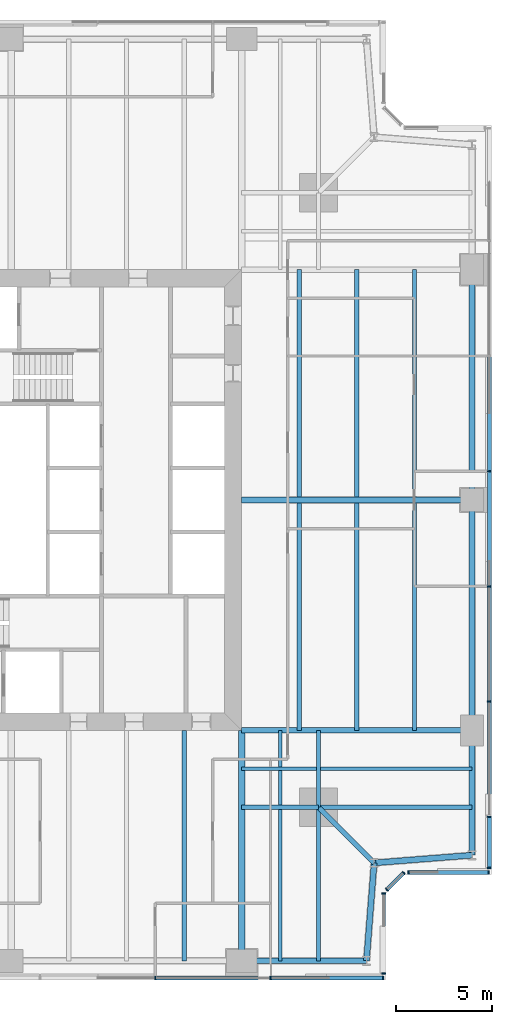
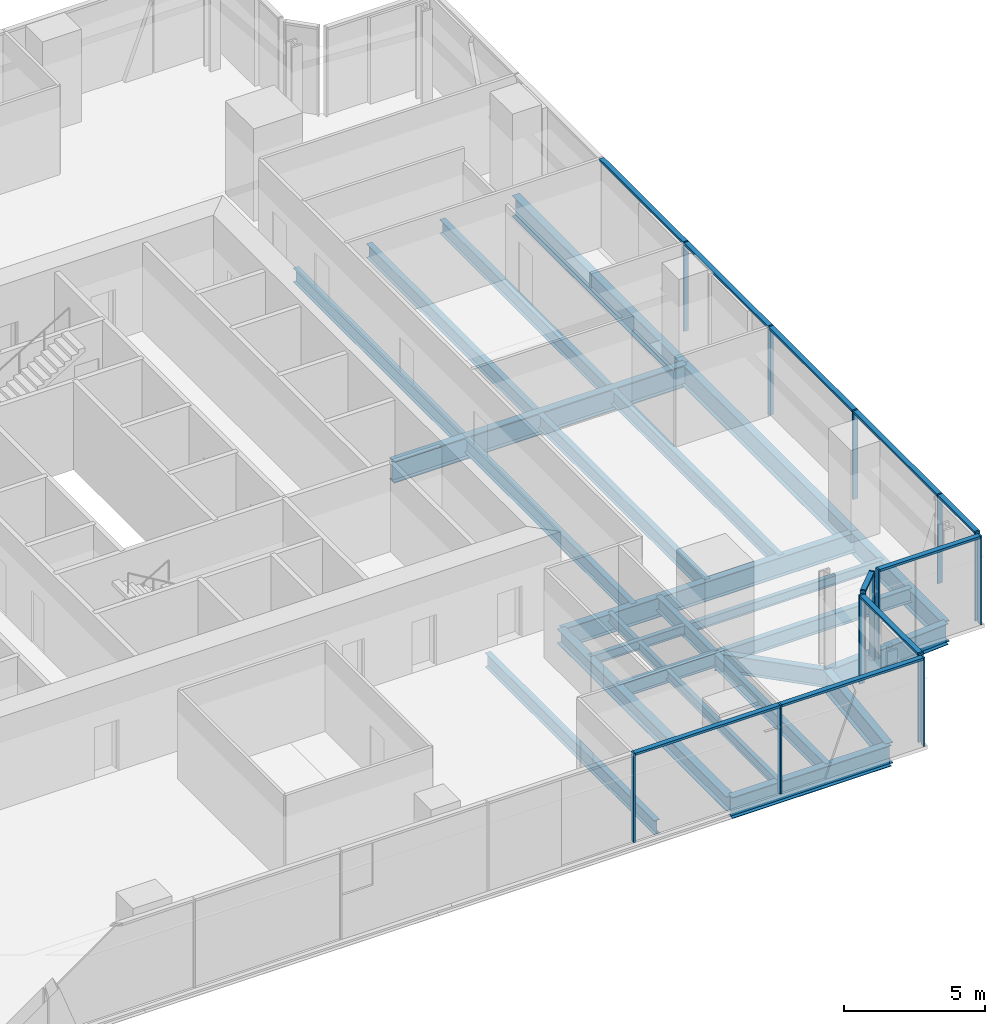
# One storey, part 5 of 16: 26 beams, 24 members, 5 elements without a shape of their own.
"""IFC4 building model written with IfcOpenShell, lengths in metres."""

from ifc_helpers import new_model, si_unit, direction, frame, origin, origin_2d, place, context, subcontext, project, spatial, rectangle, i_section, extrude, material, material_profile, profile_set, type_object, element, aggregate, save


model = new_model("IFC4")

# Units and contexts
model_context = context("Model", 3, precision=1e-05, world=origin(), true_north=direction((0.0, 1.0)))
body_context = subcontext(model_context, "Body", "Model", "MODEL_VIEW")
ifc_project = project(units=[si_unit("LENGTHUNIT", "METRE"), si_unit("AREAUNIT", "SQUARE_METRE"), si_unit("VOLUMEUNIT", "CUBIC_METRE"), si_unit("PLANEANGLEUNIT", "RADIAN"), si_unit("MASSUNIT", "GRAM", prefix="KILO")], contexts=[model_context])

# Site, building, storey
site_placement = place(None, origin())
site = spatial("IfcSite", under=ifc_project, at=site_placement, CompositionType="ELEMENT")
building_placement = place(site_placement, origin())
building = spatial("IfcBuilding", under=site, at=building_placement, Name="Fenwick Lantern Interchange", CompositionType="ELEMENT")
storey_placement = place(building_placement, frame((0.0, 0.0, 181.800048828125)))
storey = spatial("IfcBuildingStorey", under=building, at=storey_placement, Name="L42", CompositionType="ELEMENT", Elevation=181.800048828125)

# Beams
ifc_material_1 = material(Name="Steel ASTM A992 Grade 50", Category="steel")
ifc_material_profile_1 = material_profile(ifc_material_1, i_section(OverallWidth=0.3046875, OverallDepth=0.911865234375, WebThickness=0.015869140625, FlangeThickness=0.02392578125, at=origin_2d()), Name="W36X150")
ifc_profile_set_1 = profile_set([ifc_material_profile_1], Name="Steel ASTM A992 Grade 50")
beam_type_1 = type_object("IfcBeamType", Name="EDGE BEAM W36X150", PredefinedType="SPANDREL", material=ifc_profile_set_1)
beam_1_placement = place(storey_placement, frame((37.0, 1.0, -0.60595703125), z_axis=(1.0, 0.0, 0.0), x_axis=(0.0, 1.0, 0.0)))
element("IfcBeam", 1, at=beam_1_placement, inside=storey, type_object=beam_type_1, Name="L42/FR/S/EB4", PredefinedType="SPANDREL", context=body_context, shape_type="SweptSolid", body=[
    extrude(i_section(OverallWidth=0.3046875, OverallDepth=0.911865234375, WebThickness=0.015869140625, FlangeThickness=0.02392578125, at=origin_2d()), origin(), (0.0, 0.0, 1.0), 6.5),
])
for number, where, z_axis, x_axis, name in (
    (2, (43.5, 1.0, -0.60595703125), (0.078170784639, 0.99693998236, 0.0), (-0.99693998236, 0.078170784639, 0.0), "L42/FR/S/EBR1"),
    (3, (43.89990234375, 6.10009765625, -0.60595703125), (0.99693998236, 0.078170784639, 0.0), (-0.078170784639, 0.99693998236, 0.0), "L42/FR/S/EBR2"),
):
    element("IfcBeam", number, at=place(storey_placement, frame(where, z_axis=z_axis, x_axis=x_axis)), inside=storey, type_object=beam_type_1, Name=name, PredefinedType="SPANDREL", context=body_context, shape_type="SweptSolid", body=[
        extrude(i_section(OverallWidth=0.3046875, OverallDepth=0.911865234375, WebThickness=0.015869140625, FlangeThickness=0.02392578125, at=origin_2d()), origin(), (0.0, 0.0, 1.0), 5.11572265625),
    ])
beam_2_placement = place(storey_placement, frame((49.0, 6.5, -0.60595703125), z_axis=(0.0, 1.0, 0.0), x_axis=(-1.0, 0.0, 0.0)))
element("IfcBeam", 4, at=beam_2_placement, inside=storey, type_object=beam_type_1, Name="L42/FR/E/EB1", PredefinedType="SPANDREL", context=body_context, shape_type="SweptSolid", body=[
    extrude(i_section(OverallWidth=0.3046875, OverallDepth=0.911865234375, WebThickness=0.015869140625, FlangeThickness=0.02392578125, at=origin_2d()), origin(), (0.0, 0.0, 1.0), 6.5),
])
for number, where, z_axis, x_axis, name in (
    (5, (49.0, 13.0, -0.60595703125), (0.0, 1.0, 0.0), (-1.0, 0.0, 0.0), "L42/FR/E/EB2"),
    (6, (49.0, 25.0, -0.60595703125), (0.0, 1.0, 0.0), (-1.0, 0.0, 0.0), "L42/FR/E/EB3"),
):
    element("IfcBeam", number, at=place(storey_placement, frame(where, z_axis=z_axis, x_axis=x_axis)), inside=storey, type_object=beam_type_1, Name=name, PredefinedType="SPANDREL", context=body_context, shape_type="SweptSolid", body=[
        extrude(i_section(OverallWidth=0.3046875, OverallDepth=0.911865234375, WebThickness=0.015869140625, FlangeThickness=0.02392578125, at=origin_2d()), origin(), (0.0, 0.0, 1.0), 12.0),
    ])
ifc_material_profile_2 = material_profile(ifc_material_1, i_section(OverallWidth=0.22900390625, OverallDepth=0.612060546875, WebThickness=0.011962890625, FlangeThickness=0.01953125, at=origin_2d()), Name="W24X84")
ifc_profile_set_2 = profile_set([ifc_material_profile_2], Name="Steel ASTM A992 Grade 50")
beam_type_2 = type_object("IfcBeamType", Name="FLOOR BEAM W24X84", PredefinedType="BEAM", material=ifc_profile_set_2)
beam_3_placement = place(storey_placement, frame((34.0, 1.0, -0.4560546875), z_axis=(0.0, 1.0, 0.0), x_axis=(-1.0, 0.0, 0.0)))
element("IfcBeam", 7, at=beam_3_placement, inside=storey, type_object=beam_type_2, Name="L42/FR/S/R08", PredefinedType="BEAM", context=body_context, shape_type="SweptSolid", body=[
    extrude(i_section(OverallWidth=0.22900390625, OverallDepth=0.612060546875, WebThickness=0.011962890625, FlangeThickness=0.01953125, at=origin_2d()), origin(), (0.0, 0.0, 1.0), 12.0),
])
for number, where, z_axis, x_axis, name in (
    (8, (46.0, 13.0, -0.4560546875), (0.0, 1.0, 0.0), (-1.0, 0.0, 0.0), "L42/FR/E/B01"),
    (9, (43.0, 13.0, -0.4560546875), (0.0, 1.0, 0.0), (-1.0, 0.0, 0.0), "L42/FR/E/B02"),
    (10, (40.0, 13.0, -0.4560546875), (0.0, 1.0, 0.0), (-1.0, 0.0, 0.0), "L42/FR/E/B03"),
    (11, (46.0, 25.155029296875, -0.4560546875), (0.0, 1.0, 0.0), (-1.0, 0.0, 0.0), "L42/FR/E/B04"),
    (12, (43.0, 25.155029296875, -0.4560546875), (0.0, 1.0, 0.0), (-1.0, 0.0, 0.0), "L42/FR/E/B05"),
    (13, (40.0, 25.155029296875, -0.4560546875), (0.0, 1.0, 0.0), (-1.0, 0.0, 0.0), "L42/FR/E/B06"),
):
    element("IfcBeam", number, at=place(storey_placement, frame(where, z_axis=z_axis, x_axis=x_axis)), inside=storey, type_object=beam_type_2, Name=name, PredefinedType="BEAM", context=body_context, shape_type="SweptSolid", body=[
        extrude(i_section(OverallWidth=0.22900390625, OverallDepth=0.612060546875, WebThickness=0.011962890625, FlangeThickness=0.01953125, at=origin_2d()), origin(), (0.0, 0.0, 1.0), 11.844970703125),
    ])
ifc_material_profile_3 = material_profile(ifc_material_1, i_section(OverallWidth=0.177734375, OverallDepth=0.406494140625, WebThickness=0.0078125, FlangeThickness=0.012939453125, at=origin_2d()), Name="W16X40")
ifc_profile_set_3 = profile_set([ifc_material_profile_3], Name="Steel ASTM A992 Grade 50")
beam_type_3 = type_object("IfcBeamType", Name="INFILL BEAM W16X40", PredefinedType="JOIST", material=ifc_profile_set_3)
beam_4_placement = place(storey_placement, frame((49.0, 11.0, -0.353271484375), z_axis=(-1.0, 0.0, 0.0), x_axis=(0.0, -1.0, 0.0)))
element("IfcBeam", 14, at=beam_4_placement, inside=storey, type_object=beam_type_3, Name="L42/FR/E/J1", PredefinedType="JOIST", context=body_context, shape_type="SweptSolid", body=[
    extrude(i_section(OverallWidth=0.177734375, OverallDepth=0.406494140625, WebThickness=0.0078125, FlangeThickness=0.012939453125, at=origin_2d()), origin(), (0.0, 0.0, 1.0), 7.885498046875),
])
beam_5_placement = place(storey_placement, frame((40.885498046875, 11.0, -0.353271484375), z_axis=(-1.0, 0.0, 0.0), x_axis=(0.0, -1.0, 0.0)))
element("IfcBeam", 15, at=beam_5_placement, inside=storey, type_object=beam_type_3, Name="L42/FR/E/J2", PredefinedType="JOIST", context=body_context, shape_type="SweptSolid", body=[
    extrude(i_section(OverallWidth=0.177734375, OverallDepth=0.406494140625, WebThickness=0.0078125, FlangeThickness=0.012939453125, at=origin_2d()), origin(), (0.0, 0.0, 1.0), 3.885498046875),
])
beam_6_placement = place(storey_placement, frame((39.0, 1.0, -0.353271484375), z_axis=(0.0, 1.0, 0.0), x_axis=(-1.0, 0.0, 0.0)))
element("IfcBeam", 16, at=beam_6_placement, inside=storey, type_object=beam_type_3, Name="L42/FR/E/J3", PredefinedType="JOIST", context=body_context, shape_type="SweptSolid", body=[
    extrude(i_section(OverallWidth=0.177734375, OverallDepth=0.406494140625, WebThickness=0.0078125, FlangeThickness=0.012939453125, at=origin_2d()), origin(), (0.0, 0.0, 1.0), 7.885498046875),
])
beam_7_placement = place(storey_placement, frame((39.0, 9.114501953125, -0.353271484375), z_axis=(0.0, 1.0, 0.0), x_axis=(-1.0, 0.0, 0.0)))
element("IfcBeam", 17, at=beam_7_placement, inside=storey, type_object=beam_type_3, Name="L42/FR/E/J4", PredefinedType="JOIST", context=body_context, shape_type="SweptSolid", body=[
    extrude(i_section(OverallWidth=0.177734375, OverallDepth=0.406494140625, WebThickness=0.0078125, FlangeThickness=0.012939453125, at=origin_2d()), origin(), (0.0, 0.0, 1.0), 1.796630859375),
])
beam_8_placement = place(storey_placement, frame((39.0, 11.0888671875, -0.353271484375), z_axis=(0.0, 1.0, 0.0), x_axis=(-1.0, 0.0, 0.0)))
element("IfcBeam", 18, at=beam_8_placement, inside=storey, type_object=beam_type_3, Name="L42/FR/E/J5", PredefinedType="JOIST", context=body_context, shape_type="SweptSolid", body=[
    extrude(i_section(OverallWidth=0.177734375, OverallDepth=0.406494140625, WebThickness=0.0078125, FlangeThickness=0.012939453125, at=origin_2d()), origin(), (0.0, 0.0, 1.0), 1.9111328125),
])
ifc_material_profile_4 = material_profile(ifc_material_1, i_section(OverallWidth=0.22900390625, OverallDepth=0.612060546875, WebThickness=0.011962890625, FlangeThickness=0.01953125, at=origin_2d()), Name="W24X84")
ifc_profile_set_4 = profile_set([ifc_material_profile_4], Name="Steel ASTM A992 Grade 50")
beam_type_4 = type_object("IfcBeamType", Name="MEGA COLUMN BEAM W24X84", PredefinedType="BEAM", material=ifc_profile_set_4)
for number, where, z_axis, x_axis, name in (
    (19, (41.0, 9.0, -0.4560546875), (1.0, 0.0, 0.0), (0.0, 1.0, 0.0), "L42/FR/E/MB1"),
    (20, (41.0, 9.0, -0.4560546875), (0.0, -1.0, 0.0), (1.0, 0.0, 0.0), "L42/FR/E/MB2"),
):
    element("IfcBeam", number, at=place(storey_placement, frame(where, z_axis=z_axis, x_axis=x_axis)), inside=storey, type_object=beam_type_4, Name=name, PredefinedType="BEAM", context=body_context, shape_type="SweptSolid", body=[
        extrude(i_section(OverallWidth=0.22900390625, OverallDepth=0.612060546875, WebThickness=0.011962890625, FlangeThickness=0.01953125, at=origin_2d()), origin(), (0.0, 0.0, 1.0), 8.0),
    ])
for number, where, z_axis, x_axis, name in (
    (21, (41.0, 9.0, -0.4560546875), (0.0, 1.0, 0.0), (-1.0, 0.0, 0.0), "L42/FR/E/MB3"),
    (22, (41.0, 9.0, -0.4560546875), (-1.0, 0.0, 0.0), (0.0, -1.0, 0.0), "L42/FR/E/MB4"),
):
    element("IfcBeam", number, at=place(storey_placement, frame(where, z_axis=z_axis, x_axis=x_axis)), inside=storey, type_object=beam_type_4, Name=name, PredefinedType="BEAM", context=body_context, shape_type="SweptSolid", body=[
        extrude(i_section(OverallWidth=0.22900390625, OverallDepth=0.612060546875, WebThickness=0.011962890625, FlangeThickness=0.01953125, at=origin_2d()), origin(), (0.0, 0.0, 1.0), 4.0),
    ])
ifc_material_profile_5 = material_profile(ifc_material_1, i_section(OverallWidth=0.32763671875, OverallDepth=0.622314453125, WebThickness=0.015380859375, FlangeThickness=0.0244140625, at=origin_2d()), Name="W24X131")
ifc_profile_set_5 = profile_set([ifc_material_profile_5], Name="Steel ASTM A992 Grade 50")
beam_type_5 = type_object("IfcBeamType", Name="MOMENT-CONNECTED GIRDER W24X131", PredefinedType="BEAM", material=ifc_profile_set_5)
beam_9_placement = place(storey_placement, frame((37.0, 1.0, -0.461181640625), z_axis=(0.0, 1.0, 0.0), x_axis=(-1.0, 0.0, 0.0)))
element("IfcBeam", 23, at=beam_9_placement, inside=storey, type_object=beam_type_5, Name="L42/FR/S/R09", PredefinedType="BEAM", context=body_context, shape_type="SweptSolid", body=[
    extrude(i_section(OverallWidth=0.32763671875, OverallDepth=0.622314453125, WebThickness=0.015380859375, FlangeThickness=0.0244140625, at=origin_2d()), origin(), (0.0, 0.0, 1.0), 12.0),
])
ifc_material_profile_6 = material_profile(ifc_material_1, i_section(OverallWidth=0.2919921875, OverallDepth=0.845703125, WebThickness=0.015380859375, FlangeThickness=0.0244140625, at=origin_2d()), Name="W33X141")
ifc_profile_set_6 = profile_set([ifc_material_profile_6], Name="Steel ASTM A992 Grade 50")
beam_type_6 = type_object("IfcBeamType", Name="MOMENT-CONNECTED GIRDER W33X141", PredefinedType="BEAM", material=ifc_profile_set_6)
beam_10_placement = place(storey_placement, frame((49.0, 13.0, -0.572998046875), z_axis=(-1.0, 0.0, 0.0), x_axis=(0.0, -1.0, 0.0)))
element("IfcBeam", 24, at=beam_10_placement, inside=storey, type_object=beam_type_6, Name="L42/FR/E/R01", PredefinedType="BEAM", context=body_context, shape_type="SweptSolid", body=[
    extrude(i_section(OverallWidth=0.2919921875, OverallDepth=0.845703125, WebThickness=0.015380859375, FlangeThickness=0.0244140625, at=origin_2d()), origin(), (0.0, 0.0, 1.0), 12.0),
])
ifc_material_profile_7 = material_profile(ifc_material_1, i_section(OverallWidth=0.309814453125, OverallDepth=0.949951171875, WebThickness=0.0244140625, FlangeThickness=0.0439453125, at=origin_2d()), Name="W36X256")
ifc_profile_set_7 = profile_set([ifc_material_profile_7], Name="Steel ASTM A992 Grade 50")
beam_type_7 = type_object("IfcBeamType", Name="MOMENT-CONNECTED GIRDER W36X256", PredefinedType="BEAM", material=ifc_profile_set_7)
beam_11_placement = place(storey_placement, frame((49.0, 25.0, -0.625), z_axis=(-1.0, 0.0, 0.0), x_axis=(0.0, -1.0, 0.0)))
element("IfcBeam", 25, at=beam_11_placement, inside=storey, type_object=beam_type_7, Name="L42/FR/E/R02", PredefinedType="BEAM", context=body_context, shape_type="SweptSolid", body=[
    extrude(i_section(OverallWidth=0.309814453125, OverallDepth=0.949951171875, WebThickness=0.0244140625, FlangeThickness=0.0439453125, at=origin_2d()), origin(), (0.0, 0.0, 1.0), 12.0),
])
ifc_material_profile_8 = material_profile(ifc_material_1, i_section(OverallWidth=0.2666015625, OverallDepth=0.7568359375, WebThickness=0.013916015625, FlangeThickness=0.019287109375, at=origin_2d()), Name="W30X108")
ifc_profile_set_8 = profile_set([ifc_material_profile_8], Name="Steel ASTM A992 Grade 50")
beam_type_8 = type_object("IfcBeamType", Name="NOTCH BEAM W30X108", PredefinedType="BEAM", material=ifc_profile_set_8)
beam_12_placement = place(storey_placement, frame((41.0, 9.0, -0.528564453125), z_axis=(0.707106781187, -0.707106781187, 0.0), x_axis=(0.707106781187, 0.707106781187, 0.0)))
element("IfcBeam", 26, at=beam_12_placement, inside=storey, type_object=beam_type_8, Name="L42/FR/E/TG", PredefinedType="BEAM", context=body_context, shape_type="SweptSolid", body=[
    extrude(i_section(OverallWidth=0.2666015625, OverallDepth=0.7568359375, WebThickness=0.013916015625, FlangeThickness=0.019287109375, at=origin_2d()), origin(), (0.0, 0.0, 1.0), 4.10107421875),
])

# Curtain wall, members
ifc_material_2 = material(Name="Aluminium curtain wall frame", Category="aluminium")
curtain_wall_type = type_object("IfcCurtainWallType", Name="OFFICE CURTAIN WALL", PredefinedType="USERDEFINED", material=ifc_material_2)
curtain_wall_1_placement = place(storey_placement, origin())
curtain_wall_1 = element("IfcCurtainWall", 27, at=curtain_wall_1_placement, inside=storey, type_object=curtain_wall_type, Name="Office curtain wall 01", ObjectType="OFFICE CURTAIN WALL", PredefinedType="USERDEFINED")
ifc_material_3 = material(Name="Aluminium extrusion", Category="aluminium")
ifc_material_profile_9 = material_profile(ifc_material_3, rectangle(XDim=0.199951171875, YDim=0.06494140625, at=origin_2d()), Name="OFFICE CURTAIN WALL MULLION 65 X 200")
ifc_profile_set_9 = profile_set([ifc_material_profile_9], Name="Aluminium extrusion")
member_type_1 = type_object("IfcMemberType", Name="OFFICE CURTAIN WALL MULLION 65 X 200", PredefinedType="MULLION", material=ifc_profile_set_9)
member_1_placement = place(storey_placement, frame((32.5, 0.10009765625, 0.0), z_axis=(0.0, 0.0, 1.0), x_axis=(0.0, 1.0, 0.0)))
member_1 = element("IfcMember", 28, at=member_1_placement, type_object=member_type_1, Name="L42/CW/01/M05", PredefinedType="MULLION", context=body_context, shape_type="SweptSolid", body=[
    extrude(rectangle(XDim=0.199951171875, YDim=0.06494140625, at=origin_2d()), origin(), (0.0, 0.0, 1.0), 3.849853515625),
])
member_2_placement = place(storey_placement, frame((38.5, 0.10009765625, 0.0), z_axis=(0.0, 0.0, 1.0), x_axis=(0.0, 1.0, 0.0)))
member_2 = element("IfcMember", 29, at=member_2_placement, type_object=member_type_1, Name="L42/CW/01/M06", PredefinedType="MULLION", context=body_context, shape_type="SweptSolid", body=[
    extrude(rectangle(XDim=0.199951171875, YDim=0.06494140625, at=origin_2d()), origin(), (0.0, 0.0, 1.0), 3.849853515625),
])
member_3_placement = place(storey_placement, frame((44.367431640625, 0.10009765625, 0.0), z_axis=(0.0, 0.0, 1.0), x_axis=(0.0, 1.0, 0.0)))
member_3 = element("IfcMember", 30, at=member_3_placement, type_object=member_type_1, Name="L42/CW/01/M07", PredefinedType="MULLION", context=body_context, shape_type="SweptSolid", body=[
    extrude(rectangle(XDim=0.199951171875, YDim=0.06494140625, at=origin_2d()), origin(), (0.0, 0.0, 1.0), 3.849853515625),
])

curtain_wall_2_placement = place(storey_placement, origin())
curtain_wall_2 = element("IfcCurtainWall", 31, at=curtain_wall_2_placement, inside=storey, type_object=curtain_wall_type, Name="Office curtain wall 02", ObjectType="OFFICE CURTAIN WALL", PredefinedType="USERDEFINED")
member_4_placement = place(storey_placement, frame((44.39990234375, 0.33251953125, 0.0), z_axis=(0.0, 0.0, 1.0), x_axis=(-1.0, 0.0, 0.0)))
member_4 = element("IfcMember", 32, at=member_4_placement, type_object=member_type_1, Name="L42/CW/02/M00", PredefinedType="MULLION", context=body_context, shape_type="SweptSolid", body=[
    extrude(rectangle(XDim=0.199951171875, YDim=0.06494140625, at=origin_2d()), origin(), (0.0, 0.0, 1.0), 3.849853515625),
])
member_5_placement = place(storey_placement, frame((44.39990234375, 4.509033203125, 0.0), z_axis=(0.0, 0.0, 1.0), x_axis=(-1.0, 0.0, 0.0)))
member_5 = element("IfcMember", 33, at=member_5_placement, type_object=member_type_1, Name="L42/CW/02/M01", PredefinedType="MULLION", context=body_context, shape_type="SweptSolid", body=[
    extrude(rectangle(XDim=0.199951171875, YDim=0.06494140625, at=origin_2d()), origin(), (0.0, 0.0, 1.0), 3.849853515625),
])

curtain_wall_3_placement = place(storey_placement, origin())
curtain_wall_3 = element("IfcCurtainWall", 34, at=curtain_wall_3_placement, inside=storey, type_object=curtain_wall_type, Name="Office curtain wall 03", ObjectType="OFFICE CURTAIN WALL", PredefinedType="USERDEFINED")
member_6_placement = place(storey_placement, frame((44.564453125, 4.705810546875, 0.0), z_axis=(0.0, 0.0, 1.0), x_axis=(-0.707106781187, 0.707106781187, 0.0)))
member_6 = element("IfcMember", 35, at=member_6_placement, type_object=member_type_1, Name="L42/CW/03/M00", PredefinedType="MULLION", context=body_context, shape_type="SweptSolid", body=[
    extrude(rectangle(XDim=0.199951171875, YDim=0.06494140625, at=origin_2d()), origin(), (0.0, 0.0, 1.0), 3.849853515625),
])
member_7_placement = place(storey_placement, frame((45.435546875, 5.576904296875, 0.0), z_axis=(0.0, 0.0, 1.0), x_axis=(-0.707106781187, 0.707106781187, 0.0)))
member_7 = element("IfcMember", 36, at=member_7_placement, type_object=member_type_1, Name="L42/CW/03/M01", PredefinedType="MULLION", context=body_context, shape_type="SweptSolid", body=[
    extrude(rectangle(XDim=0.199951171875, YDim=0.06494140625, at=origin_2d()), origin(), (0.0, 0.0, 1.0), 3.849853515625),
])

curtain_wall_4_placement = place(storey_placement, origin())
curtain_wall_4 = element("IfcCurtainWall", 37, at=curtain_wall_4_placement, inside=storey, type_object=curtain_wall_type, Name="Office curtain wall 04", ObjectType="OFFICE CURTAIN WALL", PredefinedType="USERDEFINED")
member_8_placement = place(storey_placement, frame((45.691162109375, 5.60009765625, 0.0), z_axis=(0.0, 0.0, 1.0), x_axis=(0.0, 1.0, 0.0)))
member_8 = element("IfcMember", 38, at=member_8_placement, type_object=member_type_1, Name="L42/CW/04/M00", PredefinedType="MULLION", context=body_context, shape_type="SweptSolid", body=[
    extrude(rectangle(XDim=0.199951171875, YDim=0.06494140625, at=origin_2d()), origin(), (0.0, 0.0, 1.0), 3.849853515625),
])
member_9_placement = place(storey_placement, frame((49.867431640625, 5.60009765625, 0.0), z_axis=(0.0, 0.0, 1.0), x_axis=(0.0, 1.0, 0.0)))
member_9 = element("IfcMember", 39, at=member_9_placement, type_object=member_type_1, Name="L42/CW/04/M01", PredefinedType="MULLION", context=body_context, shape_type="SweptSolid", body=[
    extrude(rectangle(XDim=0.199951171875, YDim=0.06494140625, at=origin_2d()), origin(), (0.0, 0.0, 1.0), 3.849853515625),
])

curtain_wall_5_placement = place(storey_placement, origin())
curtain_wall_5 = element("IfcCurtainWall", 40, at=curtain_wall_5_placement, inside=storey, type_object=curtain_wall_type, Name="Office curtain wall 05", ObjectType="OFFICE CURTAIN WALL", PredefinedType="USERDEFINED")
member_10_placement = place(storey_placement, frame((49.89990234375, 5.83251953125, 0.0), z_axis=(0.0, 0.0, 1.0), x_axis=(-1.0, 0.0, 0.0)))
member_10 = element("IfcMember", 41, at=member_10_placement, type_object=member_type_1, Name="L42/CW/05/M00", PredefinedType="MULLION", context=body_context, shape_type="SweptSolid", body=[
    extrude(rectangle(XDim=0.199951171875, YDim=0.06494140625, at=origin_2d()), origin(), (0.0, 0.0, 1.0), 3.849853515625),
])
member_11_placement = place(storey_placement, frame((49.89990234375, 8.5, 0.0), z_axis=(0.0, 0.0, 1.0), x_axis=(-1.0, 0.0, 0.0)))
member_11 = element("IfcMember", 42, at=member_11_placement, type_object=member_type_1, Name="L42/CW/05/M01", PredefinedType="MULLION", context=body_context, shape_type="SweptSolid", body=[
    extrude(rectangle(XDim=0.199951171875, YDim=0.06494140625, at=origin_2d()), origin(), (0.0, 0.0, 1.0), 3.849853515625),
])
member_12_placement = place(storey_placement, frame((49.89990234375, 14.5, 0.0), z_axis=(0.0, 0.0, 1.0), x_axis=(-1.0, 0.0, 0.0)))
member_12 = element("IfcMember", 43, at=member_12_placement, type_object=member_type_1, Name="L42/CW/05/M02", PredefinedType="MULLION", context=body_context, shape_type="SweptSolid", body=[
    extrude(rectangle(XDim=0.199951171875, YDim=0.06494140625, at=origin_2d()), origin(), (0.0, 0.0, 1.0), 3.849853515625),
])
member_13_placement = place(storey_placement, frame((49.89990234375, 20.5, 0.0), z_axis=(0.0, 0.0, 1.0), x_axis=(-1.0, 0.0, 0.0)))
member_13 = element("IfcMember", 44, at=member_13_placement, type_object=member_type_1, Name="L42/CW/05/M03", PredefinedType="MULLION", context=body_context, shape_type="SweptSolid", body=[
    extrude(rectangle(XDim=0.199951171875, YDim=0.06494140625, at=origin_2d()), origin(), (0.0, 0.0, 1.0), 3.849853515625),
])
member_14_placement = place(storey_placement, frame((49.89990234375, 26.5, 0.0), z_axis=(0.0, 0.0, 1.0), x_axis=(-1.0, 0.0, 0.0)))
member_14 = element("IfcMember", 45, at=member_14_placement, type_object=member_type_1, Name="L42/CW/05/M04", PredefinedType="MULLION", context=body_context, shape_type="SweptSolid", body=[
    extrude(rectangle(XDim=0.199951171875, YDim=0.06494140625, at=origin_2d()), origin(), (0.0, 0.0, 1.0), 3.849853515625),
])

# Member
ifc_material_profile_10 = material_profile(ifc_material_3, rectangle(XDim=0.199951171875, YDim=0.10009765625, at=origin_2d()), Name="OFFICE CURTAIN WALL TRANSOM 100 X 200")
ifc_profile_set_10 = profile_set([ifc_material_profile_10], Name="Aluminium extrusion")
member_type_2 = type_object("IfcMemberType", Name="OFFICE CURTAIN WALL TRANSOM 100 X 200", PredefinedType="MULLION", material=ifc_profile_set_10)
member_15_placement = place(storey_placement, frame((32.532470703125, 0.10009765625, 3.800048828125), z_axis=(1.0, 0.0, 0.0), x_axis=(0.0, 1.0, 0.0)))
member_15 = element("IfcMember", 46, at=member_15_placement, type_object=member_type_2, Name="L42/CW/01/T05", PredefinedType="MULLION", context=body_context, shape_type="SweptSolid", body=[
    extrude(rectangle(XDim=0.199951171875, YDim=0.10009765625, at=origin_2d()), origin(), (0.0, 0.0, 1.0), 5.93505859375),
])

member_16_placement = place(storey_placement, frame((38.532470703125, 0.10009765625, 3.800048828125), z_axis=(1.0, 0.0, 0.0), x_axis=(0.0, 1.0, 0.0)))
member_16 = element("IfcMember", 47, at=member_16_placement, type_object=member_type_2, Name="L42/CW/01/T06", PredefinedType="MULLION", context=body_context, shape_type="SweptSolid", body=[
    extrude(rectangle(XDim=0.199951171875, YDim=0.10009765625, at=origin_2d()), origin(), (0.0, 0.0, 1.0), 5.802490234375),
])

aggregate(curtain_wall_1, [member_1, member_2, member_3, member_15, member_16])

member_17_placement = place(storey_placement, frame((44.39990234375, 0.364990234375, 3.800048828125), z_axis=(0.0, 1.0, 0.0), x_axis=(-1.0, 0.0, 0.0)))
member_17 = element("IfcMember", 48, at=member_17_placement, type_object=member_type_2, Name="L42/CW/02/T00", PredefinedType="MULLION", context=body_context, shape_type="SweptSolid", body=[
    extrude(rectangle(XDim=0.199951171875, YDim=0.10009765625, at=origin_2d()), origin(), (0.0, 0.0, 1.0), 4.111328125),
])

aggregate(curtain_wall_2, [member_4, member_5, member_17])

member_18_placement = place(storey_placement, frame((44.58740234375, 4.728759765625, 3.800048828125), z_axis=(0.707106781187, 0.707106781187, 0.0), x_axis=(-0.707106781187, 0.707106781187, 0.0)))
member_18 = element("IfcMember", 49, at=member_18_placement, type_object=member_type_2, Name="L42/CW/03/T00", PredefinedType="MULLION", context=body_context, shape_type="SweptSolid", body=[
    extrude(rectangle(XDim=0.199951171875, YDim=0.10009765625, at=origin_2d()), origin(), (0.0, 0.0, 1.0), 1.1669921875),
])

aggregate(curtain_wall_3, [member_6, member_7, member_18])

member_19_placement = place(storey_placement, frame((45.7236328125, 5.60009765625, 3.800048828125), z_axis=(1.0, 0.0, 0.0), x_axis=(0.0, 1.0, 0.0)))
member_19 = element("IfcMember", 50, at=member_19_placement, type_object=member_type_2, Name="L42/CW/04/T00", PredefinedType="MULLION", context=body_context, shape_type="SweptSolid", body=[
    extrude(rectangle(XDim=0.199951171875, YDim=0.10009765625, at=origin_2d()), origin(), (0.0, 0.0, 1.0), 4.111328125),
])

aggregate(curtain_wall_4, [member_8, member_9, member_19])

member_20_placement = place(storey_placement, frame((49.89990234375, 5.864990234375, 3.800048828125), z_axis=(0.0, 1.0, 0.0), x_axis=(-1.0, 0.0, 0.0)))
member_20 = element("IfcMember", 51, at=member_20_placement, type_object=member_type_2, Name="L42/CW/05/T00", PredefinedType="MULLION", context=body_context, shape_type="SweptSolid", body=[
    extrude(rectangle(XDim=0.199951171875, YDim=0.10009765625, at=origin_2d()), origin(), (0.0, 0.0, 1.0), 2.6025390625),
])

member_21_placement = place(storey_placement, frame((49.89990234375, 8.532470703125, 3.800048828125), z_axis=(0.0, 1.0, 0.0), x_axis=(-1.0, 0.0, 0.0)))
member_21 = element("IfcMember", 52, at=member_21_placement, type_object=member_type_2, Name="L42/CW/05/T01", PredefinedType="MULLION", context=body_context, shape_type="SweptSolid", body=[
    extrude(rectangle(XDim=0.199951171875, YDim=0.10009765625, at=origin_2d()), origin(), (0.0, 0.0, 1.0), 5.93505859375),
])

member_22_placement = place(storey_placement, frame((49.89990234375, 14.532470703125, 3.800048828125), z_axis=(0.0, 1.0, 0.0), x_axis=(-1.0, 0.0, 0.0)))
member_22 = element("IfcMember", 53, at=member_22_placement, type_object=member_type_2, Name="L42/CW/05/T02", PredefinedType="MULLION", context=body_context, shape_type="SweptSolid", body=[
    extrude(rectangle(XDim=0.199951171875, YDim=0.10009765625, at=origin_2d()), origin(), (0.0, 0.0, 1.0), 5.93505859375),
])

member_23_placement = place(storey_placement, frame((49.89990234375, 20.532470703125, 3.800048828125), z_axis=(0.0, 1.0, 0.0), x_axis=(-1.0, 0.0, 0.0)))
member_23 = element("IfcMember", 54, at=member_23_placement, type_object=member_type_2, Name="L42/CW/05/T03", PredefinedType="MULLION", context=body_context, shape_type="SweptSolid", body=[
    extrude(rectangle(XDim=0.199951171875, YDim=0.10009765625, at=origin_2d()), origin(), (0.0, 0.0, 1.0), 5.93505859375),
])

member_24_placement = place(storey_placement, frame((49.89990234375, 26.532470703125, 3.800048828125), z_axis=(0.0, 1.0, 0.0), x_axis=(-1.0, 0.0, 0.0)))
member_24 = element("IfcMember", 55, at=member_24_placement, type_object=member_type_2, Name="L42/CW/05/T04", PredefinedType="MULLION", context=body_context, shape_type="SweptSolid", body=[
    extrude(rectangle(XDim=0.199951171875, YDim=0.10009765625, at=origin_2d()), origin(), (0.0, 0.0, 1.0), 5.93505859375),
])

aggregate(curtain_wall_5, [member_10, member_11, member_12, member_13, member_14, member_20, member_21, member_22, member_23, member_24])

save(model, "model.ifc")
